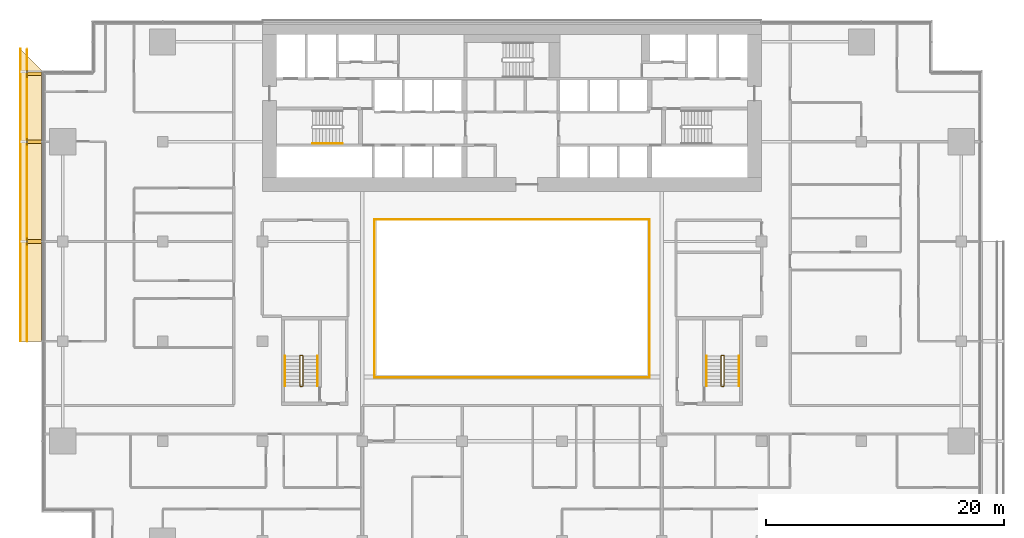
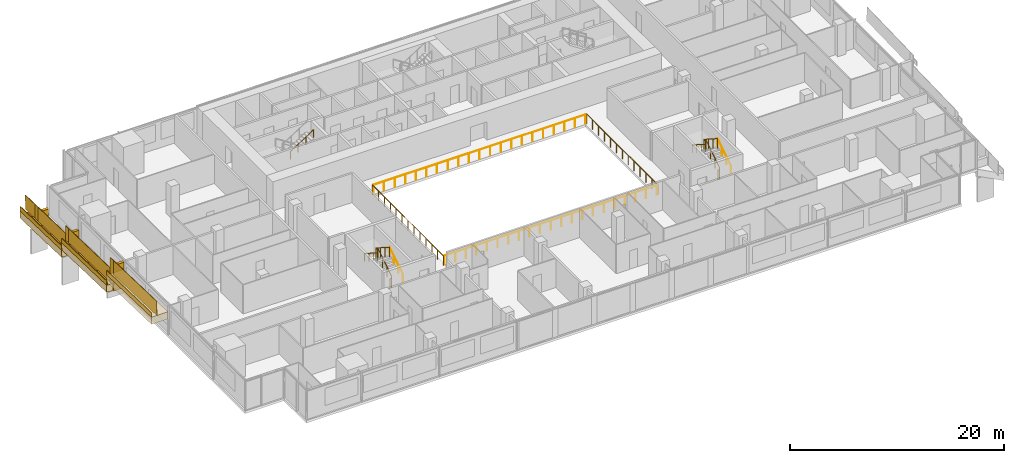
# One storey, part 23 of 25: 17 railings, 9 coverings.
"""IFC4 building model written with IfcOpenShell, lengths in metres."""

from ifc_helpers import new_model, si_unit, direction, frame, origin, origin_2d, place, context, subcontext, project, spatial, polyline, rectangle, circle, outline, extrude, material, layer, layer_set, type_object, element, save


model = new_model("IFC4")

# Units and contexts
model_context = context("Model", 3, precision=1e-05, world=origin(), true_north=direction((0.0, 1.0)))
body_context = subcontext(model_context, "Body", "Model", "MODEL_VIEW")
ifc_project = project(units=[si_unit("LENGTHUNIT", "METRE"), si_unit("AREAUNIT", "SQUARE_METRE"), si_unit("VOLUMEUNIT", "CUBIC_METRE"), si_unit("PLANEANGLEUNIT", "RADIAN"), si_unit("MASSUNIT", "GRAM", prefix="KILO")], contexts=[model_context])

# Site, building, storey
site_placement = place(None, origin())
site = spatial("IfcSite", under=ifc_project, at=site_placement, CompositionType="ELEMENT")
building_placement = place(site_placement, origin())
building = spatial("IfcBuilding", under=site, at=building_placement, Name="Saffron Gate Tower", CompositionType="ELEMENT")
storey_placement = place(building_placement, frame((0.0, 0.0, 73.199951171875)))
storey = spatial("IfcBuildingStorey", under=building, at=storey_placement, Name="L17", CompositionType="ELEMENT", Elevation=73.199951171875)

# Railings
ifc_material_1 = material(Name="Stainless steel and laminated glass", Category="steel")
railing_type_1 = type_object("IfcRailingType", Name="AG1 Atrium edge guard 1100", PredefinedType="GUARDRAIL", material=ifc_material_1)
railing_1_placement = place(storey_placement, frame((76.02001953125, 45.5400390625, 0.0)))
element("IfcRailing", 1, at=railing_1_placement, inside=storey, type_object=railing_type_1, Name="Guard A4-1", PredefinedType="GUARDRAIL", context=body_context, shape_type="SweptSolid", body=[
    extrude(circle(Radius=0.02392578125, at=origin_2d()), frame((0.0, 0.0, 1.076171875), z_axis=(0.0, 1.0, 0.0), x_axis=(-1.0, 0.0, 0.0)), (0.0, 0.0, 1.0), 13.320068359375),
    extrude(circle(Radius=0.02099609375, at=origin_2d()), origin(), (0.0, 0.0, 1.0), 1.052001953125),
    extrude(circle(Radius=0.02099609375, at=origin_2d()), frame((0.0, 1.110107421875, 0.0)), (0.0, 0.0, 1.0), 1.052001953125),
    extrude(circle(Radius=0.02099609375, at=origin_2d()), frame((0.0, 2.219970703125, 0.0)), (0.0, 0.0, 1.0), 1.052001953125),
    extrude(circle(Radius=0.02099609375, at=origin_2d()), frame((0.0, 3.330078125, 0.0)), (0.0, 0.0, 1.0), 1.052001953125),
    extrude(circle(Radius=0.02099609375, at=origin_2d()), frame((0.0, 4.43994140625, 0.0)), (0.0, 0.0, 1.0), 1.052001953125),
    extrude(circle(Radius=0.02099609375, at=origin_2d()), frame((0.0, 5.550048828125, 0.0)), (0.0, 0.0, 1.0), 1.052001953125),
    extrude(circle(Radius=0.02099609375, at=origin_2d()), frame((0.0, 6.66015625, 0.0)), (0.0, 0.0, 1.0), 1.052001953125),
    extrude(circle(Radius=0.02099609375, at=origin_2d()), frame((0.0, 7.77001953125, 0.0)), (0.0, 0.0, 1.0), 1.052001953125),
    extrude(circle(Radius=0.02099609375, at=origin_2d()), frame((0.0, 8.880126953125, 0.0)), (0.0, 0.0, 1.0), 1.052001953125),
    extrude(circle(Radius=0.02099609375, at=origin_2d()), frame((0.0, 9.989990234375, 0.0)), (0.0, 0.0, 1.0), 1.052001953125),
    extrude(circle(Radius=0.02099609375, at=origin_2d()), frame((0.0, 11.10009765625, 0.0)), (0.0, 0.0, 1.0), 1.052001953125),
    extrude(circle(Radius=0.02099609375, at=origin_2d()), frame((0.0, 12.2099609375, 0.0)), (0.0, 0.0, 1.0), 1.052001953125),
    extrude(circle(Radius=0.02099609375, at=origin_2d()), frame((0.0, 13.320068359375, 0.0)), (0.0, 0.0, 1.0), 1.052001953125),
])
railing_2_placement = place(storey_placement, frame((76.139892578125, 58.860107421875, 0.0)))
element("IfcRailing", 2, at=railing_2_placement, inside=storey, type_object=railing_type_1, Name="Guard A4-2", PredefinedType="GUARDRAIL", context=body_context, shape_type="SweptSolid", body=[
    extrude(circle(Radius=0.02392578125, at=origin_2d()), frame((0.0, 0.0, 1.076171875), z_axis=(1.0, 0.0, 0.0), x_axis=(0.0, 1.0, 0.0)), (0.0, 0.0, 1.0), 22.920166015625),
    extrude(circle(Radius=0.02099609375, at=origin_2d()), origin(), (0.0, 0.0, 1.0), 1.052001953125),
    extrude(circle(Radius=0.02099609375, at=origin_2d()), frame((1.14599609375, 0.0, 0.0)), (0.0, 0.0, 1.0), 1.052001953125),
    extrude(circle(Radius=0.02099609375, at=origin_2d()), frame((2.2919921875, 0.0, 0.0)), (0.0, 0.0, 1.0), 1.052001953125),
    extrude(circle(Radius=0.02099609375, at=origin_2d()), frame((3.43798828125, 0.0, 0.0)), (0.0, 0.0, 1.0), 1.052001953125),
    extrude(circle(Radius=0.02099609375, at=origin_2d()), frame((4.583984375, 0.0, 0.0)), (0.0, 0.0, 1.0), 1.052001953125),
    extrude(circle(Radius=0.02099609375, at=origin_2d()), frame((5.72998046875, 0.0, 0.0)), (0.0, 0.0, 1.0), 1.052001953125),
    extrude(circle(Radius=0.02099609375, at=origin_2d()), frame((6.8759765625, 0.0, 0.0)), (0.0, 0.0, 1.0), 1.052001953125),
    extrude(circle(Radius=0.02099609375, at=origin_2d()), frame((8.02197265625, 0.0, 0.0)), (0.0, 0.0, 1.0), 1.052001953125),
    extrude(circle(Radius=0.02099609375, at=origin_2d()), frame((9.16796875, 0.0, 0.0)), (0.0, 0.0, 1.0), 1.052001953125),
    extrude(circle(Radius=0.02099609375, at=origin_2d()), frame((10.31396484375, 0.0, 0.0)), (0.0, 0.0, 1.0), 1.052001953125),
    extrude(circle(Radius=0.02099609375, at=origin_2d()), frame((11.4599609375, 0.0, 0.0)), (0.0, 0.0, 1.0), 1.052001953125),
    extrude(circle(Radius=0.02099609375, at=origin_2d()), frame((12.606201171875, 0.0, 0.0)), (0.0, 0.0, 1.0), 1.052001953125),
    extrude(circle(Radius=0.02099609375, at=origin_2d()), frame((13.752197265625, 0.0, 0.0)), (0.0, 0.0, 1.0), 1.052001953125),
    extrude(circle(Radius=0.02099609375, at=origin_2d()), frame((14.898193359375, 0.0, 0.0)), (0.0, 0.0, 1.0), 1.052001953125),
    extrude(circle(Radius=0.02099609375, at=origin_2d()), frame((16.044189453125, 0.0, 0.0)), (0.0, 0.0, 1.0), 1.052001953125),
    extrude(circle(Radius=0.02099609375, at=origin_2d()), frame((17.190185546875, 0.0, 0.0)), (0.0, 0.0, 1.0), 1.052001953125),
    extrude(circle(Radius=0.02099609375, at=origin_2d()), frame((18.336181640625, 0.0, 0.0)), (0.0, 0.0, 1.0), 1.052001953125),
    extrude(circle(Radius=0.02099609375, at=origin_2d()), frame((19.482177734375, 0.0, 0.0)), (0.0, 0.0, 1.0), 1.052001953125),
    extrude(circle(Radius=0.02099609375, at=origin_2d()), frame((20.628173828125, 0.0, 0.0)), (0.0, 0.0, 1.0), 1.052001953125),
    extrude(circle(Radius=0.02099609375, at=origin_2d()), frame((21.774169921875, 0.0, 0.0)), (0.0, 0.0, 1.0), 1.052001953125),
    extrude(circle(Radius=0.02099609375, at=origin_2d()), frame((22.920166015625, 0.0, 0.0)), (0.0, 0.0, 1.0), 1.052001953125),
])
railing_3_placement = place(storey_placement, frame((99.179931640625, 58.860107421875, 0.0)))
element("IfcRailing", 3, at=railing_3_placement, inside=storey, type_object=railing_type_1, Name="Guard A4-3", PredefinedType="GUARDRAIL", context=body_context, shape_type="SweptSolid", body=[
    extrude(circle(Radius=0.02392578125, at=origin_2d()), frame((0.0, 0.0, 1.076171875), z_axis=(0.0, -1.0, 0.0), x_axis=(1.0, 0.0, 0.0)), (0.0, 0.0, 1.0), 13.320068359375),
    extrude(circle(Radius=0.02099609375, at=origin_2d()), origin(), (0.0, 0.0, 1.0), 1.052001953125),
    extrude(circle(Radius=0.02099609375, at=origin_2d()), frame((0.0, -1.110107421875, 0.0)), (0.0, 0.0, 1.0), 1.052001953125),
    extrude(circle(Radius=0.02099609375, at=origin_2d()), frame((0.0, -2.219970703125, 0.0)), (0.0, 0.0, 1.0), 1.052001953125),
    extrude(circle(Radius=0.02099609375, at=origin_2d()), frame((0.0, -3.330078125, 0.0)), (0.0, 0.0, 1.0), 1.052001953125),
    extrude(circle(Radius=0.02099609375, at=origin_2d()), frame((0.0, -4.43994140625, 0.0)), (0.0, 0.0, 1.0), 1.052001953125),
    extrude(circle(Radius=0.02099609375, at=origin_2d()), frame((0.0, -5.550048828125, 0.0)), (0.0, 0.0, 1.0), 1.052001953125),
    extrude(circle(Radius=0.02099609375, at=origin_2d()), frame((0.0, -6.66015625, 0.0)), (0.0, 0.0, 1.0), 1.052001953125),
    extrude(circle(Radius=0.02099609375, at=origin_2d()), frame((0.0, -7.77001953125, 0.0)), (0.0, 0.0, 1.0), 1.052001953125),
    extrude(circle(Radius=0.02099609375, at=origin_2d()), frame((0.0, -8.880126953125, 0.0)), (0.0, 0.0, 1.0), 1.052001953125),
    extrude(circle(Radius=0.02099609375, at=origin_2d()), frame((0.0, -9.989990234375, 0.0)), (0.0, 0.0, 1.0), 1.052001953125),
    extrude(circle(Radius=0.02099609375, at=origin_2d()), frame((0.0, -11.10009765625, 0.0)), (0.0, 0.0, 1.0), 1.052001953125),
    extrude(circle(Radius=0.02099609375, at=origin_2d()), frame((0.0, -12.2099609375, 0.0)), (0.0, 0.0, 1.0), 1.052001953125),
    extrude(circle(Radius=0.02099609375, at=origin_2d()), frame((0.0, -13.320068359375, 0.0)), (0.0, 0.0, 1.0), 1.052001953125),
])
railing_4_placement = place(storey_placement, frame((99.06005859375, 45.5400390625, 0.0)))
element("IfcRailing", 4, at=railing_4_placement, inside=storey, type_object=railing_type_1, Name="Guard A4-4", PredefinedType="GUARDRAIL", context=body_context, shape_type="SweptSolid", body=[
    extrude(circle(Radius=0.02392578125, at=origin_2d()), frame((0.0, 0.0, 1.076171875), z_axis=(-1.0, 0.0, 0.0), x_axis=(0.0, -1.0, 0.0)), (0.0, 0.0, 1.0), 22.920166015625),
    extrude(circle(Radius=0.02099609375, at=origin_2d()), origin(), (0.0, 0.0, 1.0), 1.052001953125),
    extrude(circle(Radius=0.02099609375, at=origin_2d()), frame((-1.14599609375, 0.0, 0.0)), (0.0, 0.0, 1.0), 1.052001953125),
    extrude(circle(Radius=0.02099609375, at=origin_2d()), frame((-2.2919921875, 0.0, 0.0)), (0.0, 0.0, 1.0), 1.052001953125),
    extrude(circle(Radius=0.02099609375, at=origin_2d()), frame((-3.43798828125, 0.0, 0.0)), (0.0, 0.0, 1.0), 1.052001953125),
    extrude(circle(Radius=0.02099609375, at=origin_2d()), frame((-4.583984375, 0.0, 0.0)), (0.0, 0.0, 1.0), 1.052001953125),
    extrude(circle(Radius=0.02099609375, at=origin_2d()), frame((-5.72998046875, 0.0, 0.0)), (0.0, 0.0, 1.0), 1.052001953125),
    extrude(circle(Radius=0.02099609375, at=origin_2d()), frame((-6.8759765625, 0.0, 0.0)), (0.0, 0.0, 1.0), 1.052001953125),
    extrude(circle(Radius=0.02099609375, at=origin_2d()), frame((-8.02197265625, 0.0, 0.0)), (0.0, 0.0, 1.0), 1.052001953125),
    extrude(circle(Radius=0.02099609375, at=origin_2d()), frame((-9.16796875, 0.0, 0.0)), (0.0, 0.0, 1.0), 1.052001953125),
    extrude(circle(Radius=0.02099609375, at=origin_2d()), frame((-10.31396484375, 0.0, 0.0)), (0.0, 0.0, 1.0), 1.052001953125),
    extrude(circle(Radius=0.02099609375, at=origin_2d()), frame((-11.4599609375, 0.0, 0.0)), (0.0, 0.0, 1.0), 1.052001953125),
    extrude(circle(Radius=0.02099609375, at=origin_2d()), frame((-12.606201171875, 0.0, 0.0)), (0.0, 0.0, 1.0), 1.052001953125),
    extrude(circle(Radius=0.02099609375, at=origin_2d()), frame((-13.752197265625, 0.0, 0.0)), (0.0, 0.0, 1.0), 1.052001953125),
    extrude(circle(Radius=0.02099609375, at=origin_2d()), frame((-14.898193359375, 0.0, 0.0)), (0.0, 0.0, 1.0), 1.052001953125),
    extrude(circle(Radius=0.02099609375, at=origin_2d()), frame((-16.044189453125, 0.0, 0.0)), (0.0, 0.0, 1.0), 1.052001953125),
    extrude(circle(Radius=0.02099609375, at=origin_2d()), frame((-17.190185546875, 0.0, 0.0)), (0.0, 0.0, 1.0), 1.052001953125),
    extrude(circle(Radius=0.02099609375, at=origin_2d()), frame((-18.336181640625, 0.0, 0.0)), (0.0, 0.0, 1.0), 1.052001953125),
    extrude(circle(Radius=0.02099609375, at=origin_2d()), frame((-19.482177734375, 0.0, 0.0)), (0.0, 0.0, 1.0), 1.052001953125),
    extrude(circle(Radius=0.02099609375, at=origin_2d()), frame((-20.628173828125, 0.0, 0.0)), (0.0, 0.0, 1.0), 1.052001953125),
    extrude(circle(Radius=0.02099609375, at=origin_2d()), frame((-21.774169921875, 0.0, 0.0)), (0.0, 0.0, 1.0), 1.052001953125),
    extrude(circle(Radius=0.02099609375, at=origin_2d()), frame((-22.920166015625, 0.0, 0.0)), (0.0, 0.0, 1.0), 1.052001953125),
])
railing_type_2 = type_object("IfcRailingType", Name="CR1 Stair guard 1100", PredefinedType="GUARDRAIL", material=ifc_material_1)
railing_5_placement = place(storey_placement, frame((69.800048828125, 44.800048828125, 0.0)))
element("IfcRailing", 5, at=railing_5_placement, inside=storey, type_object=railing_type_2, Name="L17 ST-D stair guard 1", PredefinedType="GUARDRAIL", context=body_context, shape_type="SweptSolid", body=[
    extrude(circle(Radius=0.02392578125, at=origin_2d()), frame((0.0, 0.0, 1.076171875), z_axis=(1.0, 0.0, 0.0), x_axis=(0.0, 1.0, 0.0)), (0.0, 0.0, 1.0), 0.14990234375),
    extrude(circle(Radius=0.02392578125, at=origin_2d()), frame((0.14990234375, 0.0, 1.076171875), z_axis=(0.258847668887, 0.258847668887, 0.930588936439), x_axis=(-0.707106781187, 0.707106781187, 0.0)), (0.0, 0.0, 1.0), 0.193359375),
    extrude(circle(Radius=0.02392578125, at=origin_2d()), frame((0.199951171875, 0.050048828125, 1.255859375), z_axis=(0.0, 0.841162588446, 0.540782303519), x_axis=(-1.0, 0.0, 0.0)), (0.0, 0.0, 1.0), 2.995849609375),
    extrude(circle(Radius=0.02392578125, at=origin_2d()), frame((0.199951171875, 2.570068359375, 2.8759765625), z_axis=(-0.708833529934, 0.705375805398, 0.0), x_axis=(-0.705375805398, -0.708833529934, 0.0)), (0.0, 0.0, 1.0), 0.070556640625),
    extrude(circle(Radius=0.02392578125, at=origin_2d()), frame((0.14990234375, 2.619873046875, 2.8759765625), z_axis=(-1.0, 0.0, 0.0), x_axis=(0.0, -1.0, 0.0)), (0.0, 0.0, 1.0), 0.14990234375),
    extrude(circle(Radius=0.02392578125, at=origin_2d()), frame((0.0, 2.619873046875, 2.8759765625), z_axis=(-0.258932105505, -0.257669022063, 0.930892496375), x_axis=(0.705375805398, -0.708833529934, 0.0)), (0.0, 0.0, 1.0), 0.193359375),
    extrude(circle(Radius=0.02392578125, at=origin_2d()), frame((-0.050048828125, 2.570068359375, 3.05615234375), z_axis=(0.0, -0.841162588446, 0.540782303519), x_axis=(1.0, 0.0, 0.0)), (0.0, 0.0, 1.0), 2.995849609375),
    extrude(circle(Radius=0.02099609375, at=origin_2d()), origin(), (0.0, 0.0, 1.0), 1.052001953125),
    extrude(circle(Radius=0.02099609375, at=origin_2d()), frame((0.14990234375, 0.0, 0.0)), (0.0, 0.0, 1.0), 1.052001953125),
    extrude(circle(Radius=0.02099609375, at=origin_2d()), frame((0.199951171875, 0.050048828125, 0.179931640625)), (0.0, 0.0, 1.0), 1.052001953125),
    extrude(circle(Radius=0.02099609375, at=origin_2d()), frame((0.199951171875, 0.89013671875, 0.719970703125)), (0.0, 0.0, 1.0), 1.052001953125),
    extrude(circle(Radius=0.02099609375, at=origin_2d()), frame((0.199951171875, 1.72998046875, 1.260009765625)), (0.0, 0.0, 1.0), 1.052001953125),
    extrude(circle(Radius=0.02099609375, at=origin_2d()), frame((0.199951171875, 2.570068359375, 1.800048828125)), (0.0, 0.0, 1.0), 1.052001953125),
    extrude(circle(Radius=0.02099609375, at=origin_2d()), frame((0.14990234375, 2.619873046875, 1.800048828125)), (0.0, 0.0, 1.0), 1.052001953125),
    extrude(circle(Radius=0.02099609375, at=origin_2d()), frame((0.0, 2.619873046875, 1.800048828125)), (0.0, 0.0, 1.0), 1.052001953125),
    extrude(circle(Radius=0.02099609375, at=origin_2d()), frame((-0.050048828125, 2.570068359375, 1.97998046875)), (0.0, 0.0, 1.0), 1.052001953125),
    extrude(circle(Radius=0.02099609375, at=origin_2d()), frame((-0.050048828125, 1.72998046875, 2.52001953125)), (0.0, 0.0, 1.0), 1.052001953125),
    extrude(circle(Radius=0.02099609375, at=origin_2d()), frame((-0.050048828125, 0.89013671875, 3.06005859375)), (0.0, 0.0, 1.0), 1.052001953125),
    extrude(circle(Radius=0.02099609375, at=origin_2d()), frame((-0.050048828125, 0.050048828125, 3.60009765625)), (0.0, 0.0, 1.0), 1.052001953125),
])
railing_6_placement = place(storey_placement, frame((105.25, 44.800048828125, 0.0)))
element("IfcRailing", 6, at=railing_6_placement, inside=storey, type_object=railing_type_2, Name="L17 ST-E stair guard 1", PredefinedType="GUARDRAIL", context=body_context, shape_type="SweptSolid", body=[
    extrude(circle(Radius=0.02392578125, at=origin_2d()), frame((0.0, 0.0, 1.076171875), z_axis=(1.0, 0.0, 0.0), x_axis=(0.0, 1.0, 0.0)), (0.0, 0.0, 1.0), 0.14990234375),
    extrude(circle(Radius=0.02392578125, at=origin_2d()), frame((0.14990234375, 0.0, 1.076171875), z_axis=(0.258847668887, 0.258847668887, 0.930588936439), x_axis=(-0.707106781187, 0.707106781187, 0.0)), (0.0, 0.0, 1.0), 0.193359375),
    extrude(circle(Radius=0.02392578125, at=origin_2d()), frame((0.199951171875, 0.050048828125, 1.255859375), z_axis=(0.0, 0.841162588446, 0.540782303519), x_axis=(-1.0, 0.0, 0.0)), (0.0, 0.0, 1.0), 2.995849609375),
    extrude(circle(Radius=0.02392578125, at=origin_2d()), frame((0.199951171875, 2.570068359375, 2.8759765625), z_axis=(-0.708833529934, 0.705375805398, 0.0), x_axis=(-0.705375805398, -0.708833529934, 0.0)), (0.0, 0.0, 1.0), 0.070556640625),
    extrude(circle(Radius=0.02392578125, at=origin_2d()), frame((0.14990234375, 2.619873046875, 2.8759765625), z_axis=(-1.0, 0.0, 0.0), x_axis=(0.0, -1.0, 0.0)), (0.0, 0.0, 1.0), 0.14990234375),
    extrude(circle(Radius=0.02392578125, at=origin_2d()), frame((0.0, 2.619873046875, 2.8759765625), z_axis=(-0.258932105505, -0.257669022063, 0.930892496375), x_axis=(0.705375805398, -0.708833529934, 0.0)), (0.0, 0.0, 1.0), 0.193359375),
    extrude(circle(Radius=0.02392578125, at=origin_2d()), frame((-0.050048828125, 2.570068359375, 3.05615234375), z_axis=(0.0, -0.841162588446, 0.540782303519), x_axis=(1.0, 0.0, 0.0)), (0.0, 0.0, 1.0), 2.995849609375),
    extrude(circle(Radius=0.02099609375, at=origin_2d()), origin(), (0.0, 0.0, 1.0), 1.052001953125),
    extrude(circle(Radius=0.02099609375, at=origin_2d()), frame((0.14990234375, 0.0, 0.0)), (0.0, 0.0, 1.0), 1.052001953125),
    extrude(circle(Radius=0.02099609375, at=origin_2d()), frame((0.199951171875, 0.050048828125, 0.179931640625)), (0.0, 0.0, 1.0), 1.052001953125),
    extrude(circle(Radius=0.02099609375, at=origin_2d()), frame((0.199951171875, 0.89013671875, 0.719970703125)), (0.0, 0.0, 1.0), 1.052001953125),
    extrude(circle(Radius=0.02099609375, at=origin_2d()), frame((0.199951171875, 1.72998046875, 1.260009765625)), (0.0, 0.0, 1.0), 1.052001953125),
    extrude(circle(Radius=0.02099609375, at=origin_2d()), frame((0.199951171875, 2.570068359375, 1.800048828125)), (0.0, 0.0, 1.0), 1.052001953125),
    extrude(circle(Radius=0.02099609375, at=origin_2d()), frame((0.14990234375, 2.619873046875, 1.800048828125)), (0.0, 0.0, 1.0), 1.052001953125),
    extrude(circle(Radius=0.02099609375, at=origin_2d()), frame((0.0, 2.619873046875, 1.800048828125)), (0.0, 0.0, 1.0), 1.052001953125),
    extrude(circle(Radius=0.02099609375, at=origin_2d()), frame((-0.050048828125, 2.570068359375, 1.97998046875)), (0.0, 0.0, 1.0), 1.052001953125),
    extrude(circle(Radius=0.02099609375, at=origin_2d()), frame((-0.050048828125, 1.72998046875, 2.52001953125)), (0.0, 0.0, 1.0), 1.052001953125),
    extrude(circle(Radius=0.02099609375, at=origin_2d()), frame((-0.050048828125, 0.89013671875, 3.06005859375)), (0.0, 0.0, 1.0), 1.052001953125),
    extrude(circle(Radius=0.02099609375, at=origin_2d()), frame((-0.050048828125, 0.050048828125, 3.60009765625)), (0.0, 0.0, 1.0), 1.052001953125),
])
ifc_material_2 = material(Name="Stainless steel", Category="steel")
railing_type_3 = type_object("IfcRailingType", Name="CR2 Stair handrail 900", PredefinedType="HANDRAIL", material=ifc_material_2)
railing_7_placement = place(storey_placement, frame((70.830078125, 65.25, 1.97998046875)))
element("IfcRailing", 7, at=railing_7_placement, inside=storey, type_object=railing_type_3, Name="L17 ST-A stair handrail 2", PredefinedType="HANDRAIL", context=body_context, shape_type="SweptSolid", body=[
    extrude(circle(Radius=0.02392578125, at=origin_2d()), frame((0.0, 0.0, 0.8759765625), z_axis=(0.841162588446, 0.0, 0.540782303519), x_axis=(0.0, 1.0, 0.0)), (0.0, 0.0, 1.0), 2.995849609375),
    extrude(circle(Radius=0.02099609375, at=origin_2d()), origin(), (0.0, 0.0, 1.0), 0.851806640625),
    extrude(circle(Radius=0.02099609375, at=origin_2d()), frame((0.840087890625, 0.0, 0.5400390625)), (0.0, 0.0, 1.0), 0.851806640625),
    extrude(circle(Radius=0.02099609375, at=origin_2d()), frame((1.679931640625, 0.0, 1.080078125)), (0.0, 0.0, 1.0), 0.851806640625),
    extrude(circle(Radius=0.02099609375, at=origin_2d()), frame((2.52001953125, 0.0, 1.6201171875)), (0.0, 0.0, 1.0), 0.851806640625),
])
railing_8_placement = place(storey_placement, frame((71.25, 44.85009765625, 0.179931640625)))
element("IfcRailing", 8, at=railing_8_placement, inside=storey, type_object=railing_type_3, Name="L17 ST-D stair handrail 1", PredefinedType="HANDRAIL", context=body_context, shape_type="SweptSolid", body=[
    extrude(circle(Radius=0.02392578125, at=origin_2d()), frame((0.0, 0.0, 0.8759765625), z_axis=(0.0, 0.841162588446, 0.540782303519), x_axis=(-1.0, 0.0, 0.0)), (0.0, 0.0, 1.0), 2.995849609375),
    extrude(circle(Radius=0.02099609375, at=origin_2d()), origin(), (0.0, 0.0, 1.0), 0.851806640625),
    extrude(circle(Radius=0.02099609375, at=origin_2d()), frame((0.0, 0.840087890625, 0.5400390625)), (0.0, 0.0, 1.0), 0.851806640625),
    extrude(circle(Radius=0.02099609375, at=origin_2d()), frame((0.0, 1.679931640625, 1.080078125)), (0.0, 0.0, 1.0), 0.851806640625),
    extrude(circle(Radius=0.02099609375, at=origin_2d()), frame((0.0, 2.52001953125, 1.6201171875)), (0.0, 0.0, 1.0), 0.851806640625),
])
railing_9_placement = place(storey_placement, frame((68.5, 47.3701171875, 1.97998046875)))
element("IfcRailing", 9, at=railing_9_placement, inside=storey, type_object=railing_type_3, Name="L17 ST-D stair handrail 2", PredefinedType="HANDRAIL", context=body_context, shape_type="SweptSolid", body=[
    extrude(circle(Radius=0.02392578125, at=origin_2d()), frame((0.0, 0.0, 0.8759765625), z_axis=(0.0, -0.841162588446, 0.540782303519), x_axis=(1.0, 0.0, 0.0)), (0.0, 0.0, 1.0), 2.995849609375),
    extrude(circle(Radius=0.02099609375, at=origin_2d()), origin(), (0.0, 0.0, 1.0), 0.851806640625),
    extrude(circle(Radius=0.02099609375, at=origin_2d()), frame((0.0, -0.840087890625, 0.5400390625)), (0.0, 0.0, 1.0), 0.851806640625),
    extrude(circle(Radius=0.02099609375, at=origin_2d()), frame((0.0, -1.679931640625, 1.080078125)), (0.0, 0.0, 1.0), 0.851806640625),
    extrude(circle(Radius=0.02099609375, at=origin_2d()), frame((0.0, -2.52001953125, 1.6201171875)), (0.0, 0.0, 1.0), 0.851806640625),
])
railing_10_placement = place(storey_placement, frame((106.699951171875, 44.85009765625, 0.179931640625)))
element("IfcRailing", 10, at=railing_10_placement, inside=storey, type_object=railing_type_3, Name="L17 ST-E stair handrail 1", PredefinedType="HANDRAIL", context=body_context, shape_type="SweptSolid", body=[
    extrude(circle(Radius=0.02392578125, at=origin_2d()), frame((0.0, 0.0, 0.8759765625), z_axis=(0.0, 0.841162588446, 0.540782303519), x_axis=(-1.0, 0.0, 0.0)), (0.0, 0.0, 1.0), 2.995849609375),
    extrude(circle(Radius=0.02099609375, at=origin_2d()), origin(), (0.0, 0.0, 1.0), 0.851806640625),
    extrude(circle(Radius=0.02099609375, at=origin_2d()), frame((0.0, 0.840087890625, 0.5400390625)), (0.0, 0.0, 1.0), 0.851806640625),
    extrude(circle(Radius=0.02099609375, at=origin_2d()), frame((0.0, 1.679931640625, 1.080078125)), (0.0, 0.0, 1.0), 0.851806640625),
    extrude(circle(Radius=0.02099609375, at=origin_2d()), frame((0.0, 2.52001953125, 1.6201171875)), (0.0, 0.0, 1.0), 0.851806640625),
])
railing_11_placement = place(storey_placement, frame((103.949951171875, 47.3701171875, 1.97998046875)))
element("IfcRailing", 11, at=railing_11_placement, inside=storey, type_object=railing_type_3, Name="L17 ST-E stair handrail 2", PredefinedType="HANDRAIL", context=body_context, shape_type="SweptSolid", body=[
    extrude(circle(Radius=0.02392578125, at=origin_2d()), frame((0.0, 0.0, 0.8759765625), z_axis=(0.0, -0.841162588446, 0.540782303519), x_axis=(1.0, 0.0, 0.0)), (0.0, 0.0, 1.0), 2.995849609375),
    extrude(circle(Radius=0.02099609375, at=origin_2d()), origin(), (0.0, 0.0, 1.0), 0.851806640625),
    extrude(circle(Radius=0.02099609375, at=origin_2d()), frame((0.0, -0.840087890625, 0.5400390625)), (0.0, 0.0, 1.0), 0.851806640625),
    extrude(circle(Radius=0.02099609375, at=origin_2d()), frame((0.0, -1.679931640625, 1.080078125)), (0.0, 0.0, 1.0), 0.851806640625),
    extrude(circle(Radius=0.02099609375, at=origin_2d()), frame((0.0, -2.52001953125, 1.6201171875)), (0.0, 0.0, 1.0), 0.851806640625),
])

# Coverings
ifc_material_3 = material(Name="Timber, thermally modified ash", Category="wood")
ifc_layer_1 = layer(ifc_material_3, 0.800048828125)
ifc_layer_set_1 = layer_set([ifc_layer_1], Name="LD1 ledge timber")
covering_type_1 = type_object("IfcCoveringType", Name="LD1 ledge timber", PredefinedType="CLADDING", material=ifc_layer_set_1)
covering_1_placement = place(storey_placement, frame((48.0, 71.39990234375, -0.07177734375), z_axis=(2.391759e-05, 0.028789477025, 0.999585496814), x_axis=(-1.72e-10, -0.9995854971, 0.028789477033)))
element("IfcCovering", 12, at=covering_1_placement, inside=storey, type_object=covering_type_1, Name="LEDGE", PredefinedType="CLADDING", context=body_context, shape_type="SweptSolid", body=[
    extrude(outline(polyline([(0.0, 0.0), (6.002489288687248, -8.470329472543003e-22), (6.002489288996045, -1.8000488276101398), (-1.800792782710612, -1.8000488299785034), (0.0, 0.0)])), origin(), (0.0, 0.0, -1.0), 0.800048828125),
])
for number, where, z_axis, x_axis, name in (
    (13, (48.0, 65.39990234375, 0.95849609375), (0.0, 0.028791175352, 0.999585448184), (0.0, -0.999585448184, 0.028791175352), "LEDGE"),
    (14, (48.0, 57.0, 2.40087890625), (0.0, 0.028791175352, 0.999585448184), (0.0, -0.999585448184, 0.028791175352), "LEDGE"),
):
    element("IfcCovering", number, at=place(storey_placement, frame(where, z_axis=z_axis, x_axis=x_axis)), inside=storey, type_object=covering_type_1, Name=name, PredefinedType="CLADDING", context=body_context, shape_type="SweptSolid", body=[
        extrude(outline(polyline([(0.0, 0.0), (8.403385982666892, 0.0), (8.403385982666892, -1.800048828125), (0.0, -1.800048828125), (0.0, 0.0)])), origin(), (0.0, 0.0, -1.0), 0.800048828125),
    ])
ifc_layer_2 = layer(ifc_material_3, 0.080078125)
ifc_layer_set_2 = layer_set([ifc_layer_2], Name="LD2 ledge planter trough")
covering_type_2 = type_object("IfcCoveringType", Name="LD2 ledge planter trough", PredefinedType="CLADDING", material=ifc_layer_set_2)
covering_2_placement = place(storey_placement, frame((46.199951171875, 73.199951171875, -0.12353515625), z_axis=(-1.0, 0.0, 0.0), x_axis=(0.0, -0.999585655924, 0.028783962047)))
element("IfcCovering", 15, at=covering_2_placement, inside=storey, type_object=covering_type_2, Name="LEDGE planter trough", PredefinedType="CLADDING", context=body_context, shape_type="SweptSolid", body=[
    extrude(outline(polyline([(0.0, 0.0), (7.803282071825423, 2.7755575615628914e-17), (7.817674052849086, 0.4997928279619612), (0.014391981023662846, 0.4997928279619612), (0.0, 0.0)])), origin(), (0.0, 0.0, -1.0), 0.080078125),
])
for number, where, z_axis, x_axis, name in (
    (16, (46.199951171875, 65.39990234375, 0.95849609375), (-1.0, 0.0, 0.0), (0.0, -0.999585448184, 0.028791175352), "LEDGE planter trough"),
    (17, (46.199951171875, 57.0, 2.40087890625), (-1.0, 0.0, 0.0), (0.0, -0.999585448184, 0.028791175352), "LEDGE planter trough"),
):
    element("IfcCovering", number, at=place(storey_placement, frame(where, z_axis=z_axis, x_axis=x_axis)), inside=storey, type_object=covering_type_2, Name=name, PredefinedType="CLADDING", context=body_context, shape_type="SweptSolid", body=[
        extrude(outline(polyline([(0.0, 0.0), (8.403385982666892, 0.0), (8.417781570342743, 0.49979272409216496), (0.014395587675851172, 0.4997927240921649), (0.0, 0.0)])), origin(), (0.0, 0.0, -1.0), 0.080078125),
    ])
ifc_layer_3 = layer(ifc_material_3, 0.300048828125)
ifc_layer_set_3 = layer_set([ifc_layer_3], Name="LD3 ledge riser fin")
covering_type_3 = type_object("IfcCoveringType", Name="LD3 ledge riser fin", PredefinedType="CLADDING", material=ifc_layer_set_3)
covering_3_placement = place(storey_placement, frame((47.43994140625, 71.10009765625, -1.12890625), z_axis=(0.0, 0.0, 1.0), x_axis=(0.0, -1.0, 0.0)))
element("IfcCovering", 18, at=covering_3_placement, inside=storey, type_object=covering_type_3, Name="LEDGE riser fin", PredefinedType="CLADDING", context=body_context, shape_type="SweptSolid", body=[
    extrude(rectangle(XDim=0.300048828125, YDim=1.1201171875, at=origin_2d()), origin(), (0.0, 0.0, 1.0), 1.957275390625),
])
covering_4_placement = place(storey_placement, frame((47.43994140625, 65.39990234375, -0.69873046875), z_axis=(0.0, 0.0, 1.0), x_axis=(0.0, -1.0, 0.0)))
element("IfcCovering", 19, at=covering_4_placement, inside=storey, type_object=covering_type_3, Name="LEDGE riser fin", PredefinedType="CLADDING", context=body_context, shape_type="SweptSolid", body=[
    extrude(rectangle(XDim=0.300048828125, YDim=1.1201171875, at=origin_2d()), origin(), (0.0, 0.0, 1.0), 2.557373046875),
])
covering_5_placement = place(storey_placement, frame((47.43994140625, 57.0, 0.400390625), z_axis=(0.0, 0.0, 1.0), x_axis=(0.0, -1.0, 0.0)))
element("IfcCovering", 20, at=covering_5_placement, inside=storey, type_object=covering_type_3, Name="LEDGE riser fin", PredefinedType="CLADDING", context=body_context, shape_type="SweptSolid", body=[
    extrude(rectangle(XDim=0.300048828125, YDim=1.1201171875, at=origin_2d()), origin(), (0.0, 0.0, 1.0), 2.900390625),
])

# Railings
railing_type_4 = type_object("IfcRailingType", Name="LG1 ledge balustrade", PredefinedType="BALUSTRADE", material=ifc_material_3)
railing_12_placement = place(storey_placement, frame((46.800048828125, 73.199951171875, -0.12353515625)))
element("IfcRailing", 21, at=railing_12_placement, inside=storey, type_object=railing_type_4, Name="LEDGE BALUSTRADE", PredefinedType="BALUSTRADE", context=body_context, shape_type="SweptSolid", body=[
    extrude(rectangle(XDim=0.06005859375, YDim=1.60009765625, at=origin_2d()), frame((0.0, 0.0, 0.800048828125), z_axis=(0.0, -0.999585655924, 0.028783962047), x_axis=(1.0, 0.0, 0.0)), (0.0, 0.0, 1.0), 7.80322265625),
])
railing_13_placement = place(storey_placement, frame((46.800048828125, 71.39990234375, -0.328857421875)))
element("IfcRailing", 22, at=railing_13_placement, inside=storey, type_object=railing_type_4, Name="LEDGE BALUSTRADE", PredefinedType="BALUSTRADE", context=body_context, shape_type="SweptSolid", body=[
    extrude(rectangle(XDim=0.06005859375, YDim=1.857177734375, at=origin_2d()), frame((0.0, 0.0, 0.9287109375), z_axis=(0.0, -1.0, 0.0), x_axis=(1.0, 0.0, 0.0)), (0.0, 0.0, 1.0), 0.599853515625),
])
railing_14_placement = place(storey_placement, frame((46.800048828125, 65.39990234375, 0.95849609375)))
element("IfcRailing", 23, at=railing_14_placement, inside=storey, type_object=railing_type_4, Name="LEDGE BALUSTRADE", PredefinedType="BALUSTRADE", context=body_context, shape_type="SweptSolid", body=[
    extrude(rectangle(XDim=0.06005859375, YDim=1.60009765625, at=origin_2d()), frame((0.0, 0.0, 0.800048828125), z_axis=(0.0, -0.999585448184, 0.028791175352), x_axis=(1.0, 0.0, 0.0)), (0.0, 0.0, 1.0), 8.4033203125),
])
railing_15_placement = place(storey_placement, frame((46.800048828125, 65.699951171875, 0.10107421875)))
element("IfcRailing", 24, at=railing_15_placement, inside=storey, type_object=railing_type_4, Name="LEDGE BALUSTRADE", PredefinedType="BALUSTRADE", context=body_context, shape_type="SweptSolid", body=[
    extrude(rectangle(XDim=0.06005859375, YDim=2.45751953125, at=origin_2d()), frame((0.0, 0.0, 1.228759765625), z_axis=(0.0, -1.0, 0.0), x_axis=(1.0, 0.0, 0.0)), (0.0, 0.0, 1.0), 0.599853515625),
])
railing_16_placement = place(storey_placement, frame((46.800048828125, 57.0, 2.40087890625)))
element("IfcRailing", 25, at=railing_16_placement, inside=storey, type_object=railing_type_4, Name="LEDGE BALUSTRADE", PredefinedType="BALUSTRADE", context=body_context, shape_type="SweptSolid", body=[
    extrude(rectangle(XDim=0.06005859375, YDim=1.60009765625, at=origin_2d()), frame((0.0, 0.0, 0.800048828125), z_axis=(0.0, -0.999585448184, 0.028791175352), x_axis=(1.0, 0.0, 0.0)), (0.0, 0.0, 1.0), 8.4033203125),
])
railing_17_placement = place(storey_placement, frame((46.800048828125, 57.300048828125, 1.200439453125)))
element("IfcRailing", 26, at=railing_17_placement, inside=storey, type_object=railing_type_4, Name="LEDGE BALUSTRADE", PredefinedType="BALUSTRADE", context=body_context, shape_type="SweptSolid", body=[
    extrude(rectangle(XDim=0.06005859375, YDim=2.80029296875, at=origin_2d()), frame((0.0, 0.0, 1.400146484375), z_axis=(0.0, -1.0, 0.0), x_axis=(1.0, 0.0, 0.0)), (0.0, 0.0, 1.0), 0.60009765625),
])

save(model, "model.ifc")
